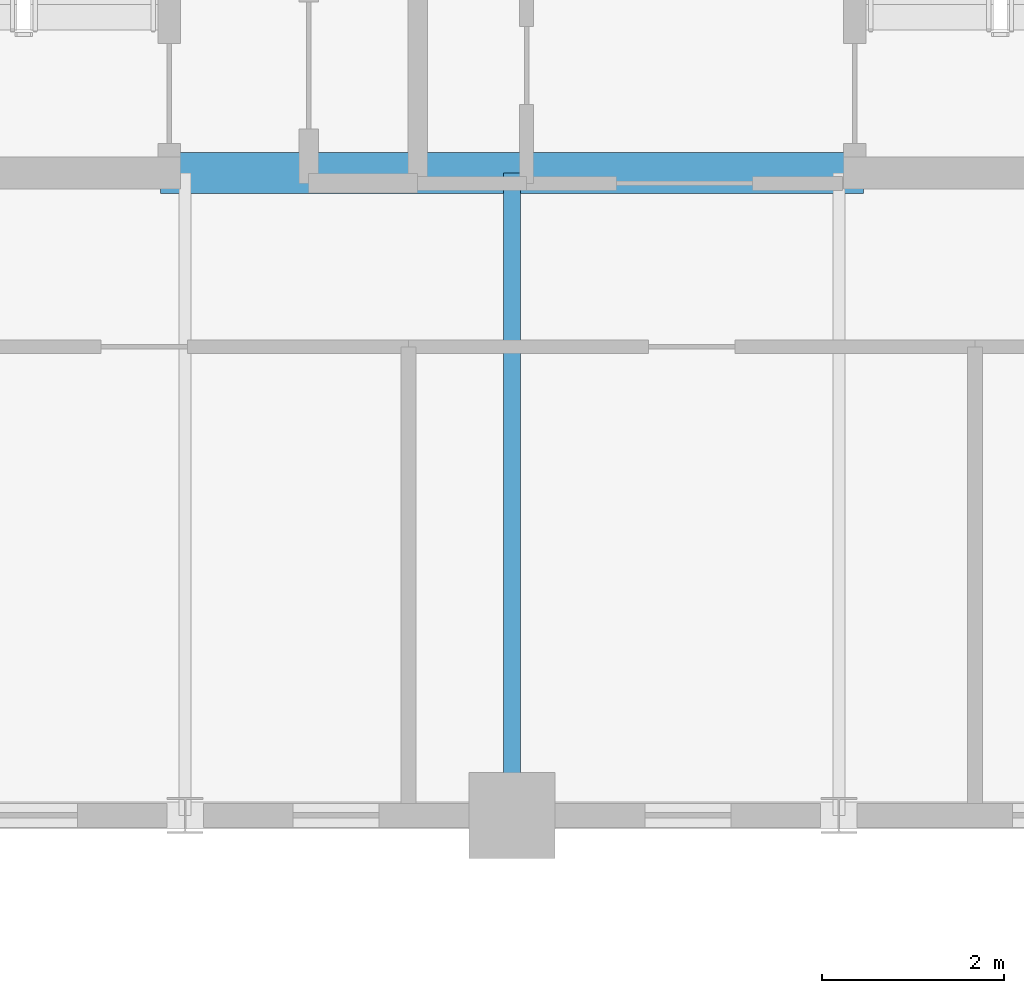
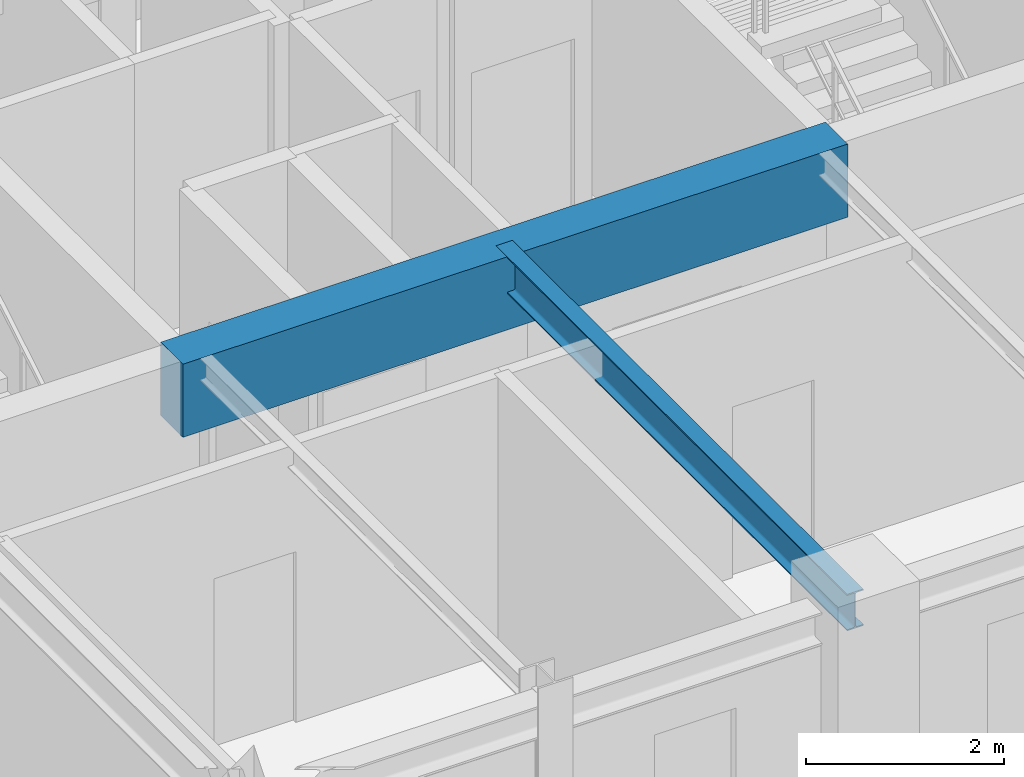
# One storey, part 7 of 20: 2 beams.
"""IFC4 building model written with IfcOpenShell, lengths in metres."""

from ifc_helpers import new_model, si_unit, direction, frame, origin, origin_2d, place, context, subcontext, project, spatial, rectangle, i_section, extrude, source, transform, mapped, material, material_profile, profile_set, type_object, element, save


model = new_model("IFC4")

# Units and contexts
model_context = context("Model", 3, precision=1e-05, world=origin(), true_north=direction((0.0, 1.0)))
body_context = subcontext(model_context, "Body", "Model", "MODEL_VIEW")
ifc_project = project(units=[si_unit("LENGTHUNIT", "METRE"), si_unit("AREAUNIT", "SQUARE_METRE"), si_unit("VOLUMEUNIT", "CUBIC_METRE"), si_unit("PLANEANGLEUNIT", "RADIAN"), si_unit("MASSUNIT", "GRAM", prefix="KILO")], contexts=[model_context])

# Site, building, storey
site_placement = place(None, origin())
site = spatial("IfcSite", under=ifc_project, at=site_placement, CompositionType="ELEMENT")
building_placement = place(site_placement, origin())
building = spatial("IfcBuilding", under=site, at=building_placement, Name="Kaliganga Portal Commons", CompositionType="ELEMENT")
storey_placement = place(building_placement, frame((0.0, 0.0, 231.39990234375)))
storey = spatial("IfcBuildingStorey", under=building, at=storey_placement, Name="L59", CompositionType="ELEMENT", Elevation=231.39990234375)

# Beams
ifc_material_1 = material(Name="Concrete C50/60", Category="concrete")
ifc_material_profile_1 = material_profile(ifc_material_1, rectangle(XDim=0.449951171875, YDim=0.89990234375, at=origin_2d()), Name="RC 450x900")
ifc_profile_set_1 = profile_set([ifc_material_profile_1], Name="Concrete C50/60")
beam_type_1 = type_object("IfcBeamType", Name="BM-CPL-900", PredefinedType="LINTEL", material=ifc_profile_set_1)
shared_shape_1 = source(origin(), body_context, "Body", "SweptSolid", [
    extrude(rectangle(XDim=0.449951171875, YDim=0.89990234375, at=origin_2d()), origin(), (0.0, 0.0, 1.0), 7.739990234375),
])
beam_1_placement = place(storey_placement, frame((17.72998046875, 28.675048828125, 2.989990234375), z_axis=(1.0, 0.0, 0.0), x_axis=(0.0, 1.0, 0.0)))
element("IfcBeam", 1, at=beam_1_placement, inside=storey, type_object=beam_type_1, Name="BM CPL COREA L59 S", PredefinedType="LINTEL", context=body_context, shape_type="MappedRepresentation", body=[
    mapped(shared_shape_1, transform((0.0, 0.0, 0.0), x_axis=(1.0, 0.0, 0.0), y_axis=(0.0, 1.0, 0.0), z_axis=(0.0, 0.0, 1.0), scale=1.0)),
])
ifc_material_2 = material(Name="Structural steel S355J2", Category="steel")
ifc_material_profile_2 = material_profile(ifc_material_2, i_section(OverallWidth=0.18994140625, OverallDepth=0.449951171875, WebThickness=0.009521484375, FlangeThickness=0.0146484375, FilletRadius=0.02099609375, at=origin_2d()), Name="IPE 450")
ifc_profile_set_2 = profile_set([ifc_material_profile_2], Name="Structural steel S355J2 wide-flange")
beam_type_2 = type_object("IfcBeamType", Name="BM-FLR-450", PredefinedType="BEAM", material=ifc_profile_set_2)
shared_shape_2 = source(origin(), body_context, "Body", "SweptSolid", [
    extrude(i_section(OverallWidth=0.18994140625, OverallDepth=0.449951171875, WebThickness=0.009521484375, FlangeThickness=0.0146484375, FilletRadius=0.02099609375, at=origin_2d()), origin(), (0.0, 0.0, 1.0), 7.074951171875),
])
beam_2_placement = place(storey_placement, frame((21.60009765625, 21.60009765625, 3.215087890625), z_axis=(0.0, 1.0, 0.0), x_axis=(-1.0, 0.0, 0.0)))
element("IfcBeam", 2, at=beam_2_placement, inside=storey, type_object=beam_type_2, Name="BM G L59 AS216", PredefinedType="BEAM", context=body_context, shape_type="MappedRepresentation", body=[
    mapped(shared_shape_2, transform((0.0, 0.0, 0.0), x_axis=(1.0, 0.0, 0.0), y_axis=(0.0, 1.0, 0.0), z_axis=(0.0, 0.0, 1.0), scale=1.0)),
])

save(model, "model.ifc")
